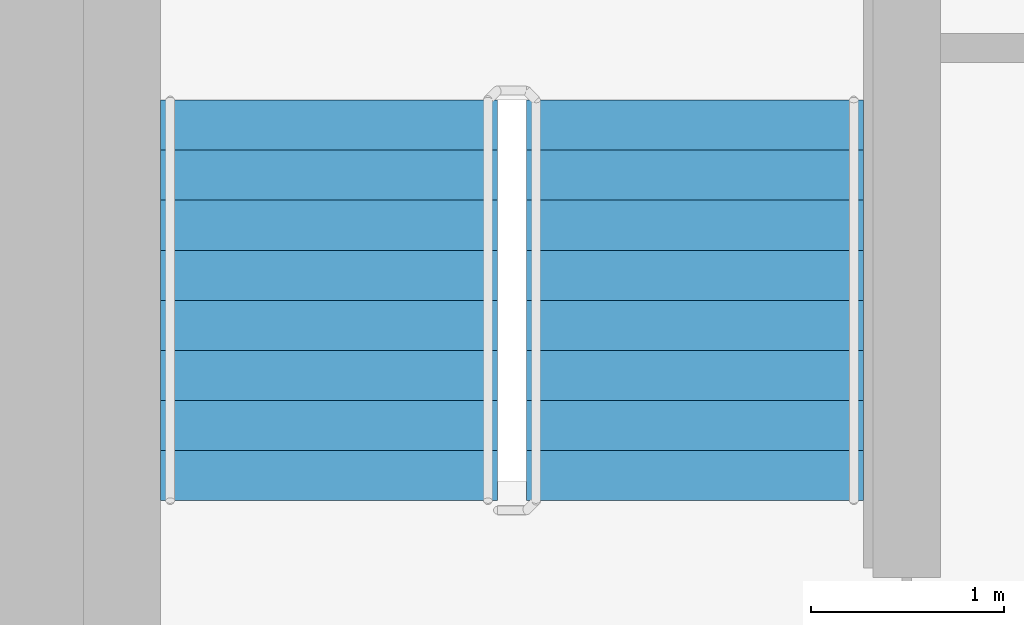
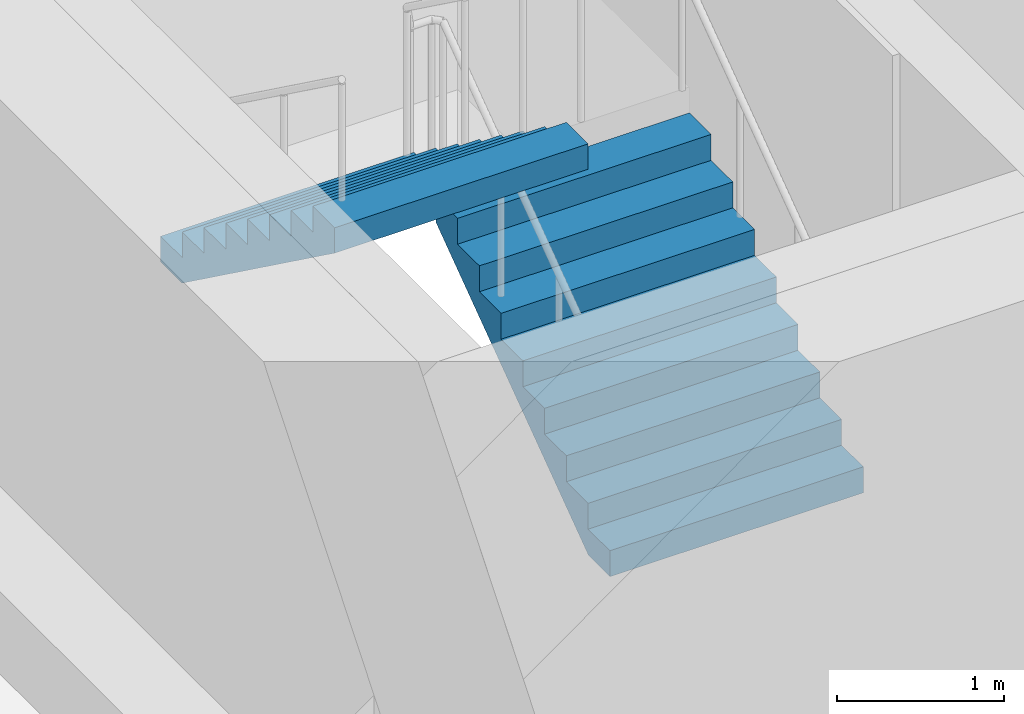
# One storey, part 17 of 20: 2 stair flights, 1 element without a shape of its own.
"""IFC4 building model written with IfcOpenShell, lengths in metres."""

from ifc_helpers import new_model, si_unit, direction, frame, origin, place, context, subcontext, project, spatial, faceted_brep, material, type_object, element, aggregate, save


model = new_model("IFC4")

# Units and contexts
model_context = context("Model", 3, precision=1e-05, world=origin(), true_north=direction((0.0, 1.0)))
body_context = subcontext(model_context, "Body", "Model", "MODEL_VIEW")
ifc_project = project(units=[si_unit("LENGTHUNIT", "METRE"), si_unit("AREAUNIT", "SQUARE_METRE"), si_unit("VOLUMEUNIT", "CUBIC_METRE"), si_unit("PLANEANGLEUNIT", "RADIAN"), si_unit("MASSUNIT", "GRAM", prefix="KILO")], contexts=[model_context])

# Site, building, storey
site_placement = place(None, origin())
site = spatial("IfcSite", under=ifc_project, at=site_placement, CompositionType="ELEMENT")
building_placement = place(site_placement, origin())
building = spatial("IfcBuilding", under=site, at=building_placement, Name="Ipe Terrace Towers", CompositionType="ELEMENT")
storey_placement = place(building_placement, frame((0.0, 0.0, 167.699951171875)))
storey = spatial("IfcBuildingStorey", under=building, at=storey_placement, Name="L46", CompositionType="ELEMENT", Elevation=167.699951171875)

# Stair, stair flights
ifc_material_1 = material(Name="Concrete C30/37", Category="concrete")
stair_type = type_object("IfcStairType", Name="Protected exit stair", PredefinedType="HALF_TURN_STAIR", material=ifc_material_1)
stair_placement = place(storey_placement, origin())
stair = element("IfcStair", 1, at=stair_placement, inside=storey, type_object=stair_type, Name="L46 Exit stair T2-C1", PredefinedType="HALF_TURN_STAIR")
ifc_material_2 = material(Name="Concrete C30/37", Category="concrete")
stair_flight_type = type_object("IfcStairFlightType", Name="Exit stair flight 1750", PredefinedType="STRAIGHT", material=ifc_material_2)
stair_flight_1_placement = place(storey_placement, frame((33.22509765625, 9.699951171875, 0.0), z_axis=(0.0, 0.0, 1.0), x_axis=(0.0, 1.0, 0.0)))
stair_flight_1 = element("IfcStairFlight", 2, at=stair_flight_1_placement, type_object=stair_flight_type, Name="T2-ST1 flight 1", NumberOfRisers=9, NumberOfTreads=8, PredefinedType="STRAIGHT", RiserHeight=0.188888889, TreadLength=0.26, context=body_context, shape_type="Brep", body=[
    faceted_brep([(0.255126953125, -0.875, 0.0), (2.080078125, -0.875, 1.325927734375), (2.080078125, -0.875, 1.51123046875), (1.820068359375, -0.875, 1.51123046875), (1.820068359375, -0.875, 1.322265625), (1.56005859375, -0.875, 1.322265625), (1.56005859375, -0.875, 1.13330078125), (1.300048828125, -0.875, 1.13330078125), (1.300048828125, -0.875, 0.9443359375), (1.0400390625, -0.875, 0.9443359375), (1.0400390625, -0.875, 0.755615234375), (0.780029296875, -0.875, 0.755615234375), (0.780029296875, -0.875, 0.566650390625), (0.52001953125, -0.875, 0.566650390625), (0.52001953125, -0.875, 0.377685546875), (0.260009765625, -0.875, 0.377685546875), (0.260009765625, -0.875, 0.18896484375), (0.0, -0.875, 0.18896484375), (0.0, -0.875, 0.0), (0.0, 0.875, 0.0), (0.0, 0.875, 0.18896484375), (0.260009765625, 0.875, 0.18896484375), (0.260009765625, 0.875, 0.377685546875), (0.52001953125, 0.875, 0.377685546875), (0.52001953125, 0.875, 0.566650390625), (0.780029296875, 0.875, 0.566650390625), (0.780029296875, 0.875, 0.755615234375), (1.0400390625, 0.875, 0.755615234375), (1.0400390625, 0.875, 0.9443359375), (1.300048828125, 0.875, 0.9443359375), (1.300048828125, 0.875, 1.13330078125), (1.56005859375, 0.875, 1.13330078125), (1.56005859375, 0.875, 1.322265625), (1.820068359375, 0.875, 1.322265625), (1.820068359375, 0.875, 1.51123046875), (2.080078125, 0.875, 1.51123046875), (2.080078125, 0.875, 1.325927734375), (0.255126953125, 0.875, 0.0), (0.0, -0.300048828125, 0.18896484375), (0.0, -0.1201171875, 0.18896484375), (0.0, -0.06005859375, 0.18896484375), (0.0, -0.030029296875, 0.18896484375), (0.0, -0.010009765625, 0.18896484375), (0.0, 0.0, 0.18896484375), (0.0, 0.010009765625, 0.18896484375), (0.0, 0.030029296875, 0.18896484375), (0.0, 0.06005859375, 0.18896484375), (0.0, 0.1201171875, 0.18896484375), (0.0, 0.300048828125, 0.18896484375), (0.0, 0.300048828125, 0.0), (0.0, 0.1201171875, 0.0), (0.0, 0.06005859375, 0.0), (0.0, 0.030029296875, 0.0), (0.0, 0.010009765625, 0.0), (0.0, 0.0, 0.0), (0.0, -0.010009765625, 0.0), (0.0, -0.030029296875, 0.0), (0.0, -0.06005859375, 0.0), (0.0, -0.1201171875, 0.0), (0.0, -0.300048828125, 0.0), (0.260009765625, -0.300048828125, 0.18896484375), (0.260009765625, -0.1201171875, 0.18896484375), (0.260009765625, -0.06005859375, 0.18896484375), (0.260009765625, -0.030029296875, 0.18896484375), (0.260009765625, -0.010009765625, 0.18896484375), (0.260009765625, 0.0, 0.18896484375), (0.260009765625, 0.010009765625, 0.18896484375), (0.260009765625, 0.030029296875, 0.18896484375), (0.260009765625, 0.06005859375, 0.18896484375), (0.260009765625, 0.1201171875, 0.18896484375), (0.260009765625, 0.300048828125, 0.18896484375), (0.260009765625, -0.300048828125, 0.377685546875), (0.260009765625, -0.1201171875, 0.377685546875), (0.260009765625, -0.06005859375, 0.377685546875), (0.260009765625, -0.030029296875, 0.377685546875), (0.260009765625, -0.010009765625, 0.377685546875), (0.260009765625, 0.0, 0.377685546875), (0.260009765625, 0.010009765625, 0.377685546875), (0.260009765625, 0.030029296875, 0.377685546875), (0.260009765625, 0.06005859375, 0.377685546875), (0.260009765625, 0.1201171875, 0.377685546875), (0.260009765625, 0.300048828125, 0.377685546875), (0.52001953125, -0.300048828125, 0.377685546875), (0.52001953125, -0.1201171875, 0.377685546875), (0.52001953125, -0.06005859375, 0.377685546875), (0.52001953125, -0.030029296875, 0.377685546875), (0.52001953125, -0.010009765625, 0.377685546875), (0.52001953125, 0.0, 0.377685546875), (0.52001953125, 0.010009765625, 0.377685546875), (0.52001953125, 0.030029296875, 0.377685546875), (0.52001953125, 0.06005859375, 0.377685546875), (0.52001953125, 0.1201171875, 0.377685546875), (0.52001953125, 0.300048828125, 0.377685546875), (0.52001953125, -0.300048828125, 0.566650390625), (0.52001953125, -0.1201171875, 0.566650390625), (0.52001953125, -0.06005859375, 0.566650390625), (0.52001953125, -0.030029296875, 0.566650390625), (0.52001953125, -0.010009765625, 0.566650390625), (0.52001953125, 0.0, 0.566650390625), (0.52001953125, 0.010009765625, 0.566650390625), (0.52001953125, 0.030029296875, 0.566650390625), (0.52001953125, 0.06005859375, 0.566650390625), (0.52001953125, 0.1201171875, 0.566650390625), (0.52001953125, 0.300048828125, 0.566650390625), (0.780029296875, -0.300048828125, 0.566650390625), (0.780029296875, -0.1201171875, 0.566650390625), (0.780029296875, -0.06005859375, 0.566650390625), (0.780029296875, -0.030029296875, 0.566650390625), (0.780029296875, -0.010009765625, 0.566650390625), (0.780029296875, 0.0, 0.566650390625), (0.780029296875, 0.010009765625, 0.566650390625), (0.780029296875, 0.030029296875, 0.566650390625), (0.780029296875, 0.06005859375, 0.566650390625), (0.780029296875, 0.1201171875, 0.566650390625), (0.780029296875, 0.300048828125, 0.566650390625), (0.780029296875, -0.300048828125, 0.755615234375), (0.780029296875, -0.1201171875, 0.755615234375), (0.780029296875, -0.06005859375, 0.755615234375), (0.780029296875, -0.030029296875, 0.755615234375), (0.780029296875, -0.010009765625, 0.755615234375), (0.780029296875, 0.0, 0.755615234375), (0.780029296875, 0.010009765625, 0.755615234375), (0.780029296875, 0.030029296875, 0.755615234375), (0.780029296875, 0.06005859375, 0.755615234375), (0.780029296875, 0.1201171875, 0.755615234375), (0.780029296875, 0.300048828125, 0.755615234375), (1.0400390625, -0.300048828125, 0.755615234375), (1.0400390625, -0.1201171875, 0.755615234375), (1.0400390625, -0.06005859375, 0.755615234375), (1.0400390625, -0.030029296875, 0.755615234375), (1.0400390625, -0.010009765625, 0.755615234375), (1.0400390625, 0.0, 0.755615234375), (1.0400390625, 0.010009765625, 0.755615234375), (1.0400390625, 0.030029296875, 0.755615234375), (1.0400390625, 0.06005859375, 0.755615234375), (1.0400390625, 0.1201171875, 0.755615234375), (1.0400390625, 0.300048828125, 0.755615234375), (1.0400390625, -0.300048828125, 0.9443359375), (1.0400390625, -0.1201171875, 0.9443359375), (1.0400390625, -0.06005859375, 0.9443359375), (1.0400390625, -0.030029296875, 0.9443359375), (1.0400390625, -0.010009765625, 0.9443359375), (1.0400390625, 0.0, 0.9443359375), (1.0400390625, 0.010009765625, 0.9443359375), (1.0400390625, 0.030029296875, 0.9443359375), (1.0400390625, 0.06005859375, 0.9443359375), (1.0400390625, 0.1201171875, 0.9443359375), (1.0400390625, 0.300048828125, 0.9443359375), (1.300048828125, -0.300048828125, 0.9443359375), (1.300048828125, -0.1201171875, 0.9443359375), (1.300048828125, -0.06005859375, 0.9443359375), (1.300048828125, -0.030029296875, 0.9443359375), (1.300048828125, -0.010009765625, 0.9443359375), (1.300048828125, 0.0, 0.9443359375), (1.300048828125, 0.010009765625, 0.9443359375), (1.300048828125, 0.030029296875, 0.9443359375), (1.300048828125, 0.06005859375, 0.9443359375), (1.300048828125, 0.1201171875, 0.9443359375), (1.300048828125, 0.300048828125, 0.9443359375), (1.300048828125, -0.300048828125, 1.13330078125), (1.300048828125, -0.1201171875, 1.13330078125), (1.300048828125, -0.06005859375, 1.13330078125), (1.300048828125, -0.030029296875, 1.13330078125), (1.300048828125, -0.010009765625, 1.13330078125), (1.300048828125, 0.0, 1.13330078125), (1.300048828125, 0.010009765625, 1.13330078125), (1.300048828125, 0.030029296875, 1.13330078125), (1.300048828125, 0.06005859375, 1.13330078125), (1.300048828125, 0.1201171875, 1.13330078125), (1.300048828125, 0.300048828125, 1.13330078125), (1.56005859375, -0.300048828125, 1.13330078125), (1.56005859375, -0.1201171875, 1.13330078125), (1.56005859375, -0.06005859375, 1.13330078125), (1.56005859375, -0.030029296875, 1.13330078125), (1.56005859375, -0.010009765625, 1.13330078125), (1.56005859375, 0.0, 1.13330078125), (1.56005859375, 0.010009765625, 1.13330078125), (1.56005859375, 0.030029296875, 1.13330078125), (1.56005859375, 0.06005859375, 1.13330078125), (1.56005859375, 0.1201171875, 1.13330078125), (1.56005859375, 0.300048828125, 1.13330078125), (1.56005859375, -0.300048828125, 1.322265625), (1.56005859375, -0.1201171875, 1.322265625), (1.56005859375, -0.06005859375, 1.322265625), (1.56005859375, -0.030029296875, 1.322265625), (1.56005859375, -0.010009765625, 1.322265625), (1.56005859375, 0.0, 1.322265625), (1.56005859375, 0.010009765625, 1.322265625), (1.56005859375, 0.030029296875, 1.322265625), (1.56005859375, 0.06005859375, 1.322265625), (1.56005859375, 0.1201171875, 1.322265625), (1.56005859375, 0.300048828125, 1.322265625), (1.820068359375, -0.300048828125, 1.322265625), (1.820068359375, -0.1201171875, 1.322265625), (1.820068359375, -0.06005859375, 1.322265625), (1.820068359375, -0.030029296875, 1.322265625), (1.820068359375, -0.010009765625, 1.322265625), (1.820068359375, 0.0, 1.322265625), (1.820068359375, 0.010009765625, 1.322265625), (1.820068359375, 0.030029296875, 1.322265625), (1.820068359375, 0.06005859375, 1.322265625), (1.820068359375, 0.1201171875, 1.322265625), (1.820068359375, 0.300048828125, 1.322265625), (1.820068359375, -0.300048828125, 1.51123046875), (1.820068359375, -0.1201171875, 1.51123046875), (1.820068359375, -0.06005859375, 1.51123046875), (1.820068359375, -0.030029296875, 1.51123046875), (1.820068359375, -0.010009765625, 1.51123046875), (1.820068359375, 0.0, 1.51123046875), (1.820068359375, 0.010009765625, 1.51123046875), (1.820068359375, 0.030029296875, 1.51123046875), (1.820068359375, 0.06005859375, 1.51123046875), (1.820068359375, 0.1201171875, 1.51123046875), (1.820068359375, 0.300048828125, 1.51123046875), (2.080078125, -0.300048828125, 1.51123046875), (2.080078125, -0.1201171875, 1.51123046875), (2.080078125, -0.06005859375, 1.51123046875), (2.080078125, -0.030029296875, 1.51123046875), (2.080078125, -0.010009765625, 1.51123046875), (2.080078125, 0.0, 1.51123046875), (2.080078125, 0.010009765625, 1.51123046875), (2.080078125, 0.030029296875, 1.51123046875), (2.080078125, 0.06005859375, 1.51123046875), (2.080078125, 0.1201171875, 1.51123046875), (2.080078125, 0.300048828125, 1.51123046875), (2.080078125, -0.300048828125, 1.325927734375), (2.080078125, -0.1201171875, 1.325927734375), (2.080078125, -0.06005859375, 1.325927734375), (2.080078125, -0.030029296875, 1.325927734375), (2.080078125, -0.010009765625, 1.325927734375), (2.080078125, 0.0, 1.325927734375), (2.080078125, 0.010009765625, 1.325927734375), (2.080078125, 0.030029296875, 1.325927734375), (2.080078125, 0.06005859375, 1.325927734375), (2.080078125, 0.1201171875, 1.325927734375), (2.080078125, 0.300048828125, 1.325927734375), (0.255126953125, -0.300048828125, 0.0), (0.255126953125, -0.1201171875, 0.0), (0.255126953125, -0.06005859375, 0.0), (0.255126953125, -0.030029296875, 0.0), (0.255126953125, -0.010009765625, 0.0), (0.255126953125, 0.0, 0.0), (0.255126953125, 0.010009765625, 0.0), (0.255126953125, 0.030029296875, 0.0), (0.255126953125, 0.06005859375, 0.0), (0.255126953125, 0.1201171875, 0.0), (0.255126953125, 0.300048828125, 0.0)], [[[0, 1, 2, 3, 4, 5, 6, 7, 8, 9, 10, 11, 12, 13, 14, 15, 16, 17, 18]], [[19, 20, 21, 22, 23, 24, 25, 26, 27, 28, 29, 30, 31, 32, 33, 34, 35, 36, 37]], [[17, 38, 39, 40, 41, 42, 43, 44, 45, 46, 47, 48, 20, 19, 49, 50, 51, 52, 53, 54, 55, 56, 57, 58, 59, 18]], [[16, 60, 61, 62, 63, 64, 65, 66, 67, 68, 69, 70, 21, 20, 48, 47, 46, 45, 44, 43, 42, 41, 40, 39, 38, 17]], [[15, 71, 72, 73, 74, 75, 76, 77, 78, 79, 80, 81, 22, 21, 70, 69, 68, 67, 66, 65, 64, 63, 62, 61, 60, 16]], [[14, 82, 83, 84, 85, 86, 87, 88, 89, 90, 91, 92, 23, 22, 81, 80, 79, 78, 77, 76, 75, 74, 73, 72, 71, 15]], [[13, 93, 94, 95, 96, 97, 98, 99, 100, 101, 102, 103, 24, 23, 92, 91, 90, 89, 88, 87, 86, 85, 84, 83, 82, 14]], [[12, 104, 105, 106, 107, 108, 109, 110, 111, 112, 113, 114, 25, 24, 103, 102, 101, 100, 99, 98, 97, 96, 95, 94, 93, 13]], [[11, 115, 116, 117, 118, 119, 120, 121, 122, 123, 124, 125, 26, 25, 114, 113, 112, 111, 110, 109, 108, 107, 106, 105, 104, 12]], [[10, 126, 127, 128, 129, 130, 131, 132, 133, 134, 135, 136, 27, 26, 125, 124, 123, 122, 121, 120, 119, 118, 117, 116, 115, 11]], [[9, 137, 138, 139, 140, 141, 142, 143, 144, 145, 146, 147, 28, 27, 136, 135, 134, 133, 132, 131, 130, 129, 128, 127, 126, 10]], [[8, 148, 149, 150, 151, 152, 153, 154, 155, 156, 157, 158, 29, 28, 147, 146, 145, 144, 143, 142, 141, 140, 139, 138, 137, 9]], [[7, 159, 160, 161, 162, 163, 164, 165, 166, 167, 168, 169, 30, 29, 158, 157, 156, 155, 154, 153, 152, 151, 150, 149, 148, 8]], [[6, 170, 171, 172, 173, 174, 175, 176, 177, 178, 179, 180, 31, 30, 169, 168, 167, 166, 165, 164, 163, 162, 161, 160, 159, 7]], [[5, 181, 182, 183, 184, 185, 186, 187, 188, 189, 190, 191, 32, 31, 180, 179, 178, 177, 176, 175, 174, 173, 172, 171, 170, 6]], [[4, 192, 193, 194, 195, 196, 197, 198, 199, 200, 201, 202, 33, 32, 191, 190, 189, 188, 187, 186, 185, 184, 183, 182, 181, 5]], [[3, 203, 204, 205, 206, 207, 208, 209, 210, 211, 212, 213, 34, 33, 202, 201, 200, 199, 198, 197, 196, 195, 194, 193, 192, 4]], [[2, 214, 215, 216, 217, 218, 219, 220, 221, 222, 223, 224, 35, 34, 213, 212, 211, 210, 209, 208, 207, 206, 205, 204, 203, 3]], [[1, 225, 226, 227, 228, 229, 230, 231, 232, 233, 234, 235, 36, 35, 224, 223, 222, 221, 220, 219, 218, 217, 216, 215, 214, 2]], [[0, 236, 237, 238, 239, 240, 241, 242, 243, 244, 245, 246, 37, 36, 235, 234, 233, 232, 231, 230, 229, 228, 227, 226, 225, 1]], [[18, 59, 58, 57, 56, 55, 54, 53, 52, 51, 50, 49, 19, 37, 246, 245, 244, 243, 242, 241, 240, 239, 238, 237, 236, 0]]]),
])
stair_flight_2_placement = place(storey_placement, frame((31.324951171875, 11.780029296875, 1.699951171875), z_axis=(0.0, 0.0, 1.0), x_axis=(0.0, -1.0, 0.0)))
stair_flight_2 = element("IfcStairFlight", 3, at=stair_flight_2_placement, type_object=stair_flight_type, Name="T2-ST1 flight 2", NumberOfRisers=9, NumberOfTreads=8, PredefinedType="STRAIGHT", RiserHeight=0.188888889, TreadLength=0.26, context=body_context, shape_type="Brep", body=[
    faceted_brep([(0.255126953125, -0.875, 0.0), (2.080078125, -0.875, 1.325927734375), (2.080078125, -0.875, 1.51123046875), (1.820068359375, -0.875, 1.51123046875), (1.820068359375, -0.875, 1.322265625), (1.56005859375, -0.875, 1.322265625), (1.56005859375, -0.875, 1.13330078125), (1.300048828125, -0.875, 1.13330078125), (1.300048828125, -0.875, 0.9443359375), (1.0400390625, -0.875, 0.9443359375), (1.0400390625, -0.875, 0.755615234375), (0.780029296875, -0.875, 0.755615234375), (0.780029296875, -0.875, 0.566650390625), (0.52001953125, -0.875, 0.566650390625), (0.52001953125, -0.875, 0.377685546875), (0.260009765625, -0.875, 0.377685546875), (0.260009765625, -0.875, 0.18896484375), (0.0, -0.875, 0.18896484375), (0.0, -0.875, 0.0), (0.0, 0.875, 0.0), (0.0, 0.875, 0.18896484375), (0.260009765625, 0.875, 0.18896484375), (0.260009765625, 0.875, 0.377685546875), (0.52001953125, 0.875, 0.377685546875), (0.52001953125, 0.875, 0.566650390625), (0.780029296875, 0.875, 0.566650390625), (0.780029296875, 0.875, 0.755615234375), (1.0400390625, 0.875, 0.755615234375), (1.0400390625, 0.875, 0.9443359375), (1.300048828125, 0.875, 0.9443359375), (1.300048828125, 0.875, 1.13330078125), (1.56005859375, 0.875, 1.13330078125), (1.56005859375, 0.875, 1.322265625), (1.820068359375, 0.875, 1.322265625), (1.820068359375, 0.875, 1.51123046875), (2.080078125, 0.875, 1.51123046875), (2.080078125, 0.875, 1.325927734375), (0.255126953125, 0.875, 0.0), (0.0, -0.300048828125, 0.18896484375), (0.0, -0.1201171875, 0.18896484375), (0.0, -0.06005859375, 0.18896484375), (0.0, -0.030029296875, 0.18896484375), (0.0, -0.010009765625, 0.18896484375), (0.0, 0.0, 0.18896484375), (0.0, 0.010009765625, 0.18896484375), (0.0, 0.030029296875, 0.18896484375), (0.0, 0.06005859375, 0.18896484375), (0.0, 0.1201171875, 0.18896484375), (0.0, 0.300048828125, 0.18896484375), (0.0, 0.300048828125, 0.0), (0.0, 0.1201171875, 0.0), (0.0, 0.06005859375, 0.0), (0.0, 0.030029296875, 0.0), (0.0, 0.010009765625, 0.0), (0.0, 0.0, 0.0), (0.0, -0.010009765625, 0.0), (0.0, -0.030029296875, 0.0), (0.0, -0.06005859375, 0.0), (0.0, -0.1201171875, 0.0), (0.0, -0.300048828125, 0.0), (0.260009765625, -0.300048828125, 0.18896484375), (0.260009765625, -0.1201171875, 0.18896484375), (0.260009765625, -0.06005859375, 0.18896484375), (0.260009765625, -0.030029296875, 0.18896484375), (0.260009765625, -0.010009765625, 0.18896484375), (0.260009765625, 0.0, 0.18896484375), (0.260009765625, 0.010009765625, 0.18896484375), (0.260009765625, 0.030029296875, 0.18896484375), (0.260009765625, 0.06005859375, 0.18896484375), (0.260009765625, 0.1201171875, 0.18896484375), (0.260009765625, 0.300048828125, 0.18896484375), (0.260009765625, -0.300048828125, 0.377685546875), (0.260009765625, -0.1201171875, 0.377685546875), (0.260009765625, -0.06005859375, 0.377685546875), (0.260009765625, -0.030029296875, 0.377685546875), (0.260009765625, -0.010009765625, 0.377685546875), (0.260009765625, 0.0, 0.377685546875), (0.260009765625, 0.010009765625, 0.377685546875), (0.260009765625, 0.030029296875, 0.377685546875), (0.260009765625, 0.06005859375, 0.377685546875), (0.260009765625, 0.1201171875, 0.377685546875), (0.260009765625, 0.300048828125, 0.377685546875), (0.52001953125, -0.300048828125, 0.377685546875), (0.52001953125, -0.1201171875, 0.377685546875), (0.52001953125, -0.06005859375, 0.377685546875), (0.52001953125, -0.030029296875, 0.377685546875), (0.52001953125, -0.010009765625, 0.377685546875), (0.52001953125, 0.0, 0.377685546875), (0.52001953125, 0.010009765625, 0.377685546875), (0.52001953125, 0.030029296875, 0.377685546875), (0.52001953125, 0.06005859375, 0.377685546875), (0.52001953125, 0.1201171875, 0.377685546875), (0.52001953125, 0.300048828125, 0.377685546875), (0.52001953125, -0.300048828125, 0.566650390625), (0.52001953125, -0.1201171875, 0.566650390625), (0.52001953125, -0.06005859375, 0.566650390625), (0.52001953125, -0.030029296875, 0.566650390625), (0.52001953125, -0.010009765625, 0.566650390625), (0.52001953125, 0.0, 0.566650390625), (0.52001953125, 0.010009765625, 0.566650390625), (0.52001953125, 0.030029296875, 0.566650390625), (0.52001953125, 0.06005859375, 0.566650390625), (0.52001953125, 0.1201171875, 0.566650390625), (0.52001953125, 0.300048828125, 0.566650390625), (0.780029296875, -0.300048828125, 0.566650390625), (0.780029296875, -0.1201171875, 0.566650390625), (0.780029296875, -0.06005859375, 0.566650390625), (0.780029296875, -0.030029296875, 0.566650390625), (0.780029296875, -0.010009765625, 0.566650390625), (0.780029296875, 0.0, 0.566650390625), (0.780029296875, 0.010009765625, 0.566650390625), (0.780029296875, 0.030029296875, 0.566650390625), (0.780029296875, 0.06005859375, 0.566650390625), (0.780029296875, 0.1201171875, 0.566650390625), (0.780029296875, 0.300048828125, 0.566650390625), (0.780029296875, -0.300048828125, 0.755615234375), (0.780029296875, -0.1201171875, 0.755615234375), (0.780029296875, -0.06005859375, 0.755615234375), (0.780029296875, -0.030029296875, 0.755615234375), (0.780029296875, -0.010009765625, 0.755615234375), (0.780029296875, 0.0, 0.755615234375), (0.780029296875, 0.010009765625, 0.755615234375), (0.780029296875, 0.030029296875, 0.755615234375), (0.780029296875, 0.06005859375, 0.755615234375), (0.780029296875, 0.1201171875, 0.755615234375), (0.780029296875, 0.300048828125, 0.755615234375), (1.0400390625, -0.300048828125, 0.755615234375), (1.0400390625, -0.1201171875, 0.755615234375), (1.0400390625, -0.06005859375, 0.755615234375), (1.0400390625, -0.030029296875, 0.755615234375), (1.0400390625, -0.010009765625, 0.755615234375), (1.0400390625, 0.0, 0.755615234375), (1.0400390625, 0.010009765625, 0.755615234375), (1.0400390625, 0.030029296875, 0.755615234375), (1.0400390625, 0.06005859375, 0.755615234375), (1.0400390625, 0.1201171875, 0.755615234375), (1.0400390625, 0.300048828125, 0.755615234375), (1.0400390625, -0.300048828125, 0.9443359375), (1.0400390625, -0.1201171875, 0.9443359375), (1.0400390625, -0.06005859375, 0.9443359375), (1.0400390625, -0.030029296875, 0.9443359375), (1.0400390625, -0.010009765625, 0.9443359375), (1.0400390625, 0.0, 0.9443359375), (1.0400390625, 0.010009765625, 0.9443359375), (1.0400390625, 0.030029296875, 0.9443359375), (1.0400390625, 0.06005859375, 0.9443359375), (1.0400390625, 0.1201171875, 0.9443359375), (1.0400390625, 0.300048828125, 0.9443359375), (1.300048828125, -0.300048828125, 0.9443359375), (1.300048828125, -0.1201171875, 0.9443359375), (1.300048828125, -0.06005859375, 0.9443359375), (1.300048828125, -0.030029296875, 0.9443359375), (1.300048828125, -0.010009765625, 0.9443359375), (1.300048828125, 0.0, 0.9443359375), (1.300048828125, 0.010009765625, 0.9443359375), (1.300048828125, 0.030029296875, 0.9443359375), (1.300048828125, 0.06005859375, 0.9443359375), (1.300048828125, 0.1201171875, 0.9443359375), (1.300048828125, 0.300048828125, 0.9443359375), (1.300048828125, -0.300048828125, 1.13330078125), (1.300048828125, -0.1201171875, 1.13330078125), (1.300048828125, -0.06005859375, 1.13330078125), (1.300048828125, -0.030029296875, 1.13330078125), (1.300048828125, -0.010009765625, 1.13330078125), (1.300048828125, 0.0, 1.13330078125), (1.300048828125, 0.010009765625, 1.13330078125), (1.300048828125, 0.030029296875, 1.13330078125), (1.300048828125, 0.06005859375, 1.13330078125), (1.300048828125, 0.1201171875, 1.13330078125), (1.300048828125, 0.300048828125, 1.13330078125), (1.56005859375, -0.300048828125, 1.13330078125), (1.56005859375, -0.1201171875, 1.13330078125), (1.56005859375, -0.06005859375, 1.13330078125), (1.56005859375, -0.030029296875, 1.13330078125), (1.56005859375, -0.010009765625, 1.13330078125), (1.56005859375, 0.0, 1.13330078125), (1.56005859375, 0.010009765625, 1.13330078125), (1.56005859375, 0.030029296875, 1.13330078125), (1.56005859375, 0.06005859375, 1.13330078125), (1.56005859375, 0.1201171875, 1.13330078125), (1.56005859375, 0.300048828125, 1.13330078125), (1.56005859375, -0.300048828125, 1.322265625), (1.56005859375, -0.1201171875, 1.322265625), (1.56005859375, -0.06005859375, 1.322265625), (1.56005859375, -0.030029296875, 1.322265625), (1.56005859375, -0.010009765625, 1.322265625), (1.56005859375, 0.0, 1.322265625), (1.56005859375, 0.010009765625, 1.322265625), (1.56005859375, 0.030029296875, 1.322265625), (1.56005859375, 0.06005859375, 1.322265625), (1.56005859375, 0.1201171875, 1.322265625), (1.56005859375, 0.300048828125, 1.322265625), (1.820068359375, -0.300048828125, 1.322265625), (1.820068359375, -0.1201171875, 1.322265625), (1.820068359375, -0.06005859375, 1.322265625), (1.820068359375, -0.030029296875, 1.322265625), (1.820068359375, -0.010009765625, 1.322265625), (1.820068359375, 0.0, 1.322265625), (1.820068359375, 0.010009765625, 1.322265625), (1.820068359375, 0.030029296875, 1.322265625), (1.820068359375, 0.06005859375, 1.322265625), (1.820068359375, 0.1201171875, 1.322265625), (1.820068359375, 0.300048828125, 1.322265625), (1.820068359375, -0.300048828125, 1.51123046875), (1.820068359375, -0.1201171875, 1.51123046875), (1.820068359375, -0.06005859375, 1.51123046875), (1.820068359375, -0.030029296875, 1.51123046875), (1.820068359375, -0.010009765625, 1.51123046875), (1.820068359375, 0.0, 1.51123046875), (1.820068359375, 0.010009765625, 1.51123046875), (1.820068359375, 0.030029296875, 1.51123046875), (1.820068359375, 0.06005859375, 1.51123046875), (1.820068359375, 0.1201171875, 1.51123046875), (1.820068359375, 0.300048828125, 1.51123046875), (2.080078125, -0.300048828125, 1.51123046875), (2.080078125, -0.1201171875, 1.51123046875), (2.080078125, -0.06005859375, 1.51123046875), (2.080078125, -0.030029296875, 1.51123046875), (2.080078125, -0.010009765625, 1.51123046875), (2.080078125, 0.0, 1.51123046875), (2.080078125, 0.010009765625, 1.51123046875), (2.080078125, 0.030029296875, 1.51123046875), (2.080078125, 0.06005859375, 1.51123046875), (2.080078125, 0.1201171875, 1.51123046875), (2.080078125, 0.300048828125, 1.51123046875), (2.080078125, -0.300048828125, 1.325927734375), (2.080078125, -0.1201171875, 1.325927734375), (2.080078125, -0.06005859375, 1.325927734375), (2.080078125, -0.030029296875, 1.325927734375), (2.080078125, -0.010009765625, 1.325927734375), (2.080078125, 0.0, 1.325927734375), (2.080078125, 0.010009765625, 1.325927734375), (2.080078125, 0.030029296875, 1.325927734375), (2.080078125, 0.06005859375, 1.325927734375), (2.080078125, 0.1201171875, 1.325927734375), (2.080078125, 0.300048828125, 1.325927734375), (0.255126953125, -0.300048828125, 0.0), (0.255126953125, -0.1201171875, 0.0), (0.255126953125, -0.06005859375, 0.0), (0.255126953125, -0.030029296875, 0.0), (0.255126953125, -0.010009765625, 0.0), (0.255126953125, 0.0, 0.0), (0.255126953125, 0.010009765625, 0.0), (0.255126953125, 0.030029296875, 0.0), (0.255126953125, 0.06005859375, 0.0), (0.255126953125, 0.1201171875, 0.0), (0.255126953125, 0.300048828125, 0.0)], [[[0, 1, 2, 3, 4, 5, 6, 7, 8, 9, 10, 11, 12, 13, 14, 15, 16, 17, 18]], [[19, 20, 21, 22, 23, 24, 25, 26, 27, 28, 29, 30, 31, 32, 33, 34, 35, 36, 37]], [[17, 38, 39, 40, 41, 42, 43, 44, 45, 46, 47, 48, 20, 19, 49, 50, 51, 52, 53, 54, 55, 56, 57, 58, 59, 18]], [[16, 60, 61, 62, 63, 64, 65, 66, 67, 68, 69, 70, 21, 20, 48, 47, 46, 45, 44, 43, 42, 41, 40, 39, 38, 17]], [[15, 71, 72, 73, 74, 75, 76, 77, 78, 79, 80, 81, 22, 21, 70, 69, 68, 67, 66, 65, 64, 63, 62, 61, 60, 16]], [[14, 82, 83, 84, 85, 86, 87, 88, 89, 90, 91, 92, 23, 22, 81, 80, 79, 78, 77, 76, 75, 74, 73, 72, 71, 15]], [[13, 93, 94, 95, 96, 97, 98, 99, 100, 101, 102, 103, 24, 23, 92, 91, 90, 89, 88, 87, 86, 85, 84, 83, 82, 14]], [[12, 104, 105, 106, 107, 108, 109, 110, 111, 112, 113, 114, 25, 24, 103, 102, 101, 100, 99, 98, 97, 96, 95, 94, 93, 13]], [[11, 115, 116, 117, 118, 119, 120, 121, 122, 123, 124, 125, 26, 25, 114, 113, 112, 111, 110, 109, 108, 107, 106, 105, 104, 12]], [[10, 126, 127, 128, 129, 130, 131, 132, 133, 134, 135, 136, 27, 26, 125, 124, 123, 122, 121, 120, 119, 118, 117, 116, 115, 11]], [[9, 137, 138, 139, 140, 141, 142, 143, 144, 145, 146, 147, 28, 27, 136, 135, 134, 133, 132, 131, 130, 129, 128, 127, 126, 10]], [[8, 148, 149, 150, 151, 152, 153, 154, 155, 156, 157, 158, 29, 28, 147, 146, 145, 144, 143, 142, 141, 140, 139, 138, 137, 9]], [[7, 159, 160, 161, 162, 163, 164, 165, 166, 167, 168, 169, 30, 29, 158, 157, 156, 155, 154, 153, 152, 151, 150, 149, 148, 8]], [[6, 170, 171, 172, 173, 174, 175, 176, 177, 178, 179, 180, 31, 30, 169, 168, 167, 166, 165, 164, 163, 162, 161, 160, 159, 7]], [[5, 181, 182, 183, 184, 185, 186, 187, 188, 189, 190, 191, 32, 31, 180, 179, 178, 177, 176, 175, 174, 173, 172, 171, 170, 6]], [[4, 192, 193, 194, 195, 196, 197, 198, 199, 200, 201, 202, 33, 32, 191, 190, 189, 188, 187, 186, 185, 184, 183, 182, 181, 5]], [[3, 203, 204, 205, 206, 207, 208, 209, 210, 211, 212, 213, 34, 33, 202, 201, 200, 199, 198, 197, 196, 195, 194, 193, 192, 4]], [[2, 214, 215, 216, 217, 218, 219, 220, 221, 222, 223, 224, 35, 34, 213, 212, 211, 210, 209, 208, 207, 206, 205, 204, 203, 3]], [[1, 225, 226, 227, 228, 229, 230, 231, 232, 233, 234, 235, 36, 35, 224, 223, 222, 221, 220, 219, 218, 217, 216, 215, 214, 2]], [[0, 236, 237, 238, 239, 240, 241, 242, 243, 244, 245, 246, 37, 36, 235, 234, 233, 232, 231, 230, 229, 228, 227, 226, 225, 1]], [[18, 59, 58, 57, 56, 55, 54, 53, 52, 51, 50, 49, 19, 37, 246, 245, 244, 243, 242, 241, 240, 239, 238, 237, 236, 0]]]),
])
aggregate(stair, [stair_flight_1, stair_flight_2])

save(model, "model.ifc")
